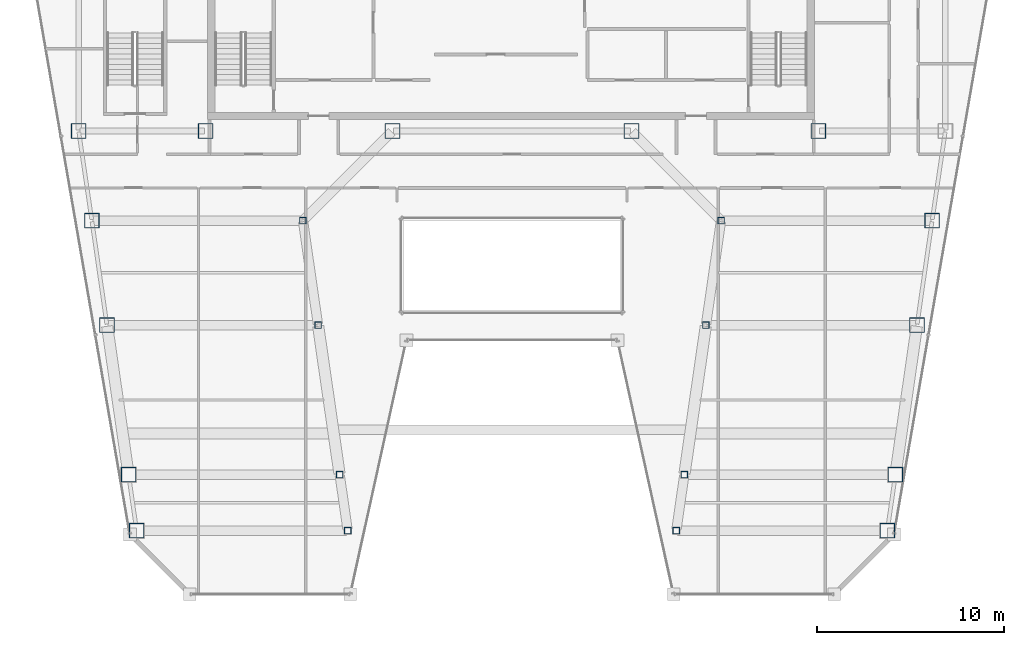
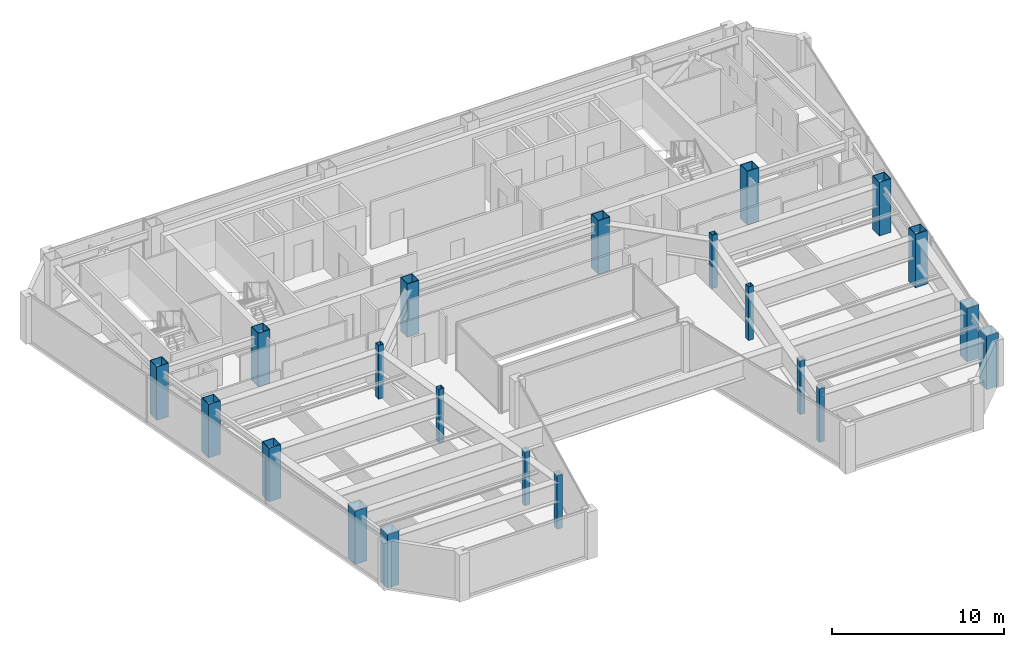
# One storey, part 1 of 35: 21 columns.
"""IFC4 building model written with IfcOpenShell, lengths in metres."""

from ifc_helpers import new_model, si_unit, direction, frame, origin, origin_2d, place, context, subcontext, project, spatial, hollow_rectangle, extrude, material, material_profile, profile_set, type_object, element, save


model = new_model("IFC4")

# Units and contexts
model_context = context("Model", 3, precision=1e-05, world=origin(), true_north=direction((0.0, 1.0)))
body_context = subcontext(model_context, "Body", "Model", "MODEL_VIEW")
ifc_project = project(units=[si_unit("LENGTHUNIT", "METRE"), si_unit("AREAUNIT", "SQUARE_METRE"), si_unit("VOLUMEUNIT", "CUBIC_METRE"), si_unit("PLANEANGLEUNIT", "RADIAN"), si_unit("MASSUNIT", "GRAM", prefix="KILO")], contexts=[model_context])

# Site, building, storey
site_placement = place(None, origin())
site = spatial("IfcSite", under=ifc_project, at=site_placement, CompositionType="ELEMENT")
building_placement = place(site_placement, origin())
building = spatial("IfcBuilding", under=site, at=building_placement, Name="Saevonmaru Cultural Tower", CompositionType="ELEMENT")
storey_placement = place(building_placement, frame((0.0, 0.0, 249.60009765625)))
storey = spatial("IfcBuildingStorey", under=building, at=storey_placement, Name="L58", CompositionType="ELEMENT", Elevation=249.60009765625)

# Columns
ifc_material_1 = material(Name="Steel SM420", Category="steel")
ifc_material_profile_1 = material_profile(ifc_material_1, hollow_rectangle(XDim=0.800048828125, YDim=0.800048828125, WallThickness=0.035888671875, at=origin_2d()), Name="BOX-800x800x36")
ifc_profile_set_1 = profile_set([ifc_material_profile_1], Name="Steel SM420")
column_type_1 = type_object("IfcColumnType", Name="COL-BOX-800", PredefinedType="COLUMN", material=ifc_profile_set_1)
for number, where, z_axis, x_axis, name in (
    (1, (6.800048828125, 42.39990234375, 0.0), (0.0, 0.0, 1.0), (1.0, 0.0, 0.0), "L58 Column TC-S1C"),
    (2, (13.60009765625, 42.39990234375, 0.0), (0.0, 0.0, 1.0), (1.0, 0.0, 0.0), "L58 Column TC-S2C"),
    (3, (23.60009765625, 42.39990234375, 0.0), (0.0, 0.0, 1.0), (1.0, 0.0, 0.0), "L58 Column TC-S3C"),
    (4, (36.39990234375, 42.39990234375, 0.0), (0.0, 0.0, 1.0), (1.0, 0.0, 0.0), "L58 Column TC-S4C"),
    (5, (46.39990234375, 42.39990234375, 0.0), (0.0, 0.0, 1.0), (1.0, 0.0, 0.0), "L58 Column TC-S5C"),
    (6, (9.906005859375, 21.0, 0.0), (0.0, 0.0, 1.0), (1.0, 0.0, 0.0), "L58 Column TC-WO-Y210"),
    (7, (50.093994140625, 21.0, 0.0), (0.0, 0.0, 1.0), (1.0, 0.0, 0.0), "L58 Column TC-EO-Y210"),
    (8, (9.471923828125, 24.0, 0.0), (0.0, 0.0, 1.0), (1.0, 0.0, 0.0), "L58 Column TC-WO-Y240"),
    (9, (50.528076171875, 24.0, 0.0), (0.0, 0.0, 1.0), (1.0, 0.0, 0.0), "L58 Column TC-EO-Y240"),
    (10, (8.31689453125, 32.0, 0.0), (0.0, 0.0, 1.0), (1.0, 0.0, 0.0), "L58 Column TC-WO-Y320"),
    (11, (51.68310546875, 32.0, 0.0), (0.0, 0.0, 1.0), (1.0, 0.0, 0.0), "L58 Column TC-EO-Y320"),
    (12, (7.508056640625, 37.60009765625, 0.0), (0.0, 0.0, 1.0), (1.0, 0.0, 0.0), "L58 Column TC-WO-Y376"),
    (13, (52.491943359375, 37.60009765625, 0.0), (0.0, 0.0, 1.0), (1.0, 0.0, 0.0), "L58 Column TC-EO-Y376"),
):
    element("IfcColumn", number, at=place(storey_placement, frame(where, z_axis=z_axis, x_axis=x_axis)), inside=storey, type_object=column_type_1, Name=name, PredefinedType="COLUMN", context=body_context, shape_type="SweptSolid", body=[
        extrude(hollow_rectangle(XDim=0.800048828125, YDim=0.800048828125, WallThickness=0.035888671875, at=origin_2d()), origin(), (0.0, 0.0, 1.0), 3.7998046875),
    ])
ifc_material_2 = material(Name="Steel SM355", Category="steel")
ifc_material_profile_2 = material_profile(ifc_material_2, hollow_rectangle(XDim=0.35009765625, YDim=0.35009765625, WallThickness=0.01611328125, at=origin_2d()), Name="SHS-350x350x16")
ifc_profile_set_2 = profile_set([ifc_material_profile_2], Name="Steel SM355")
column_type_2 = type_object("IfcColumnType", Name="COL-SHS-350", PredefinedType="COLUMN", material=ifc_profile_set_2)
for number, where, z_axis, x_axis, name in (
    (14, (21.2060546875, 21.0, 0.0), (0.0, 0.0, 1.0), (1.0, 0.0, 0.0), "L58 Column TC-WI-Y210"),
    (15, (38.7939453125, 21.0, 0.0), (0.0, 0.0, 1.0), (1.0, 0.0, 0.0), "L58 Column TC-EI-Y210"),
    (16, (20.77197265625, 24.0, 0.0), (0.0, 0.0, 1.0), (1.0, 0.0, 0.0), "L58 Column TC-WI-Y240"),
    (17, (39.22802734375, 24.0, 0.0), (0.0, 0.0, 1.0), (1.0, 0.0, 0.0), "L58 Column TC-EI-Y240"),
    (18, (19.616943359375, 32.0, 0.0), (0.0, 0.0, 1.0), (1.0, 0.0, 0.0), "L58 Column TC-WI-Y320"),
    (19, (40.383056640625, 32.0, 0.0), (0.0, 0.0, 1.0), (1.0, 0.0, 0.0), "L58 Column TC-EI-Y320"),
    (20, (18.80810546875, 37.60009765625, 0.0), (0.0, 0.0, 1.0), (1.0, 0.0, 0.0), "L58 Column TC-WI-Y376"),
    (21, (41.19189453125, 37.60009765625, 0.0), (0.0, 0.0, 1.0), (1.0, 0.0, 0.0), "L58 Column TC-EI-Y376"),
):
    element("IfcColumn", number, at=place(storey_placement, frame(where, z_axis=z_axis, x_axis=x_axis)), inside=storey, type_object=column_type_2, Name=name, PredefinedType="COLUMN", context=body_context, shape_type="SweptSolid", body=[
        extrude(hollow_rectangle(XDim=0.35009765625, YDim=0.35009765625, WallThickness=0.01611328125, at=origin_2d()), origin(), (0.0, 0.0, 1.0), 3.7998046875),
    ])

save(model, "model.ifc")
